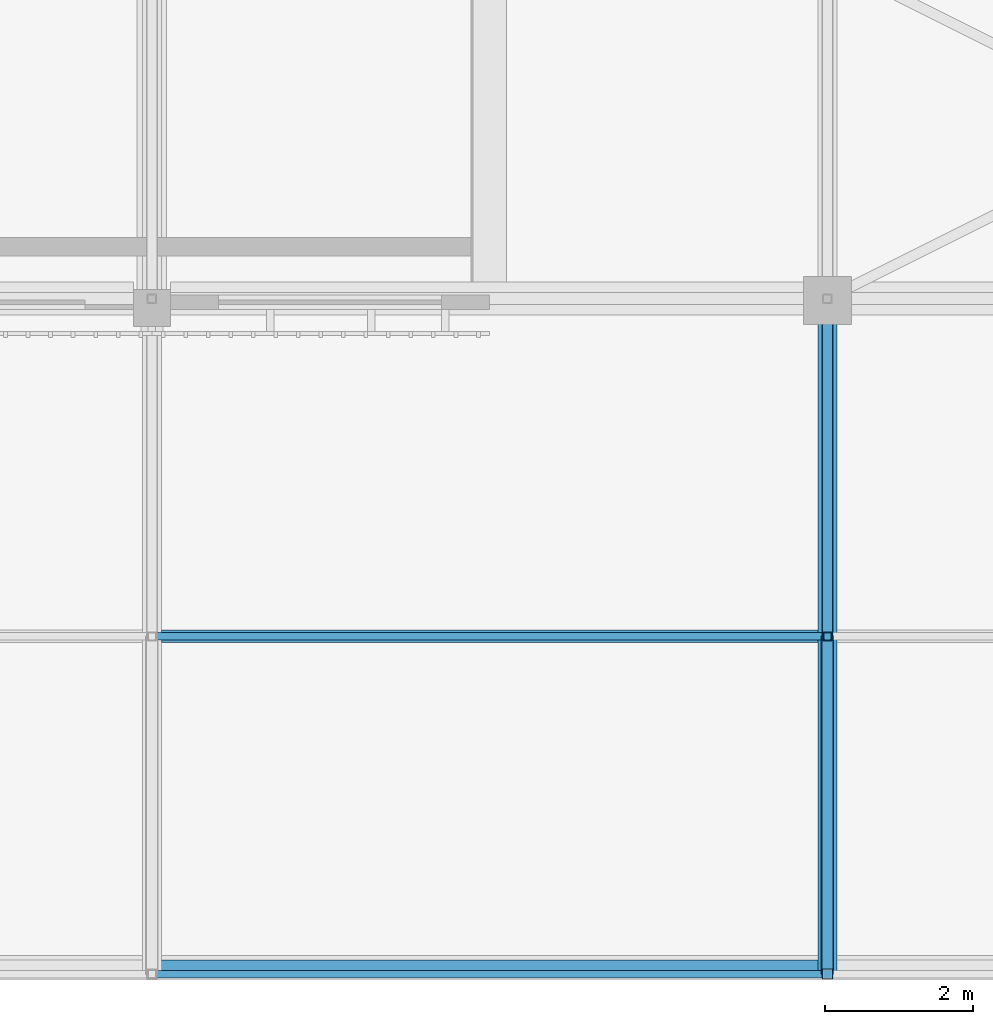
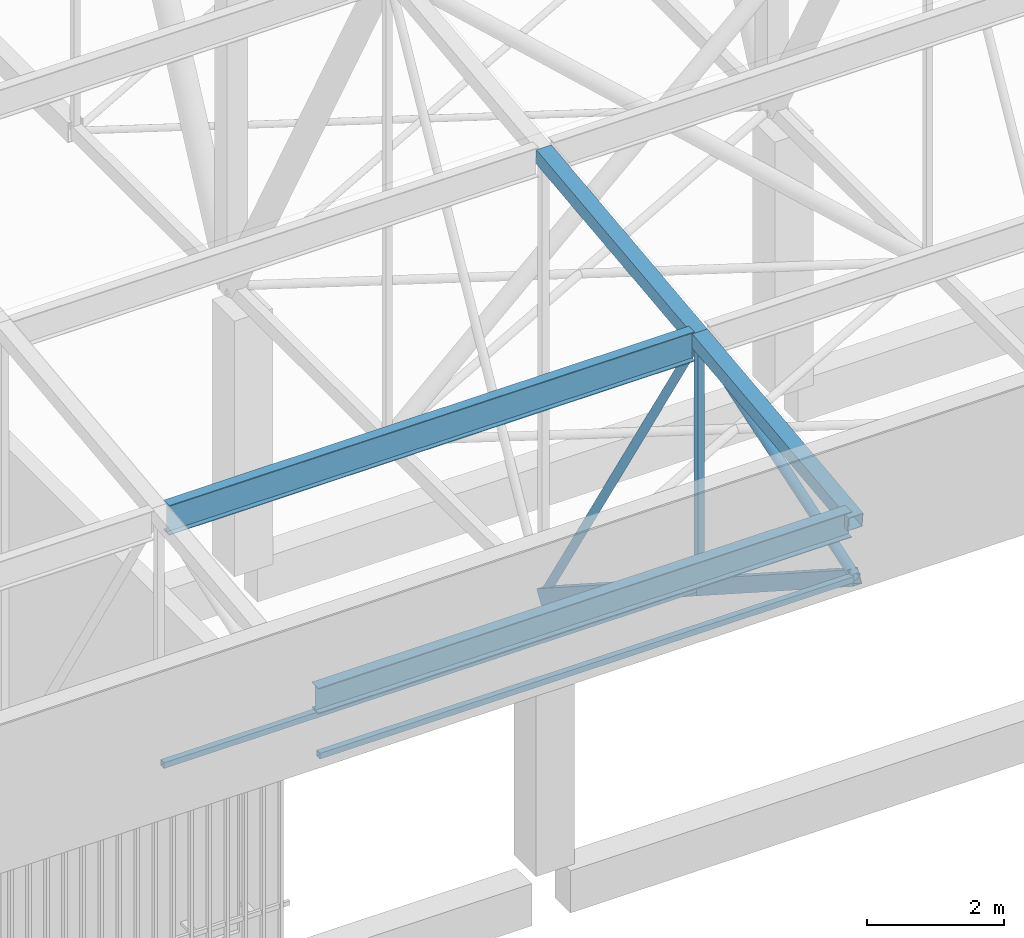
# One storey, part 32 of 500: 11 members.
"""IFC4 building model written with IfcOpenShell, lengths in metres."""

from ifc_helpers import new_model, si_unit, direction, frame, origin, origin_2d, place, context, subcontext, project, spatial, hollow_rectangle, hollow_circle, i_section, extrude, material, material_profile, profile_set, type_object, element, save


model = new_model("IFC4")

# Units and contexts
model_context = context("Model", 3, precision=1e-05, world=origin(), true_north=direction((0.0, 1.0)))
body_context = subcontext(model_context, "Body", "Model", "MODEL_VIEW")
ifc_project = project(units=[si_unit("LENGTHUNIT", "METRE"), si_unit("AREAUNIT", "SQUARE_METRE"), si_unit("VOLUMEUNIT", "CUBIC_METRE"), si_unit("PLANEANGLEUNIT", "RADIAN"), si_unit("MASSUNIT", "GRAM", prefix="KILO")], contexts=[model_context])

# Site, building, storey
site_placement = place(None, origin())
site = spatial("IfcSite", under=ifc_project, at=site_placement, CompositionType="ELEMENT")
building_placement = place(site_placement, origin())
building = spatial("IfcBuilding", under=site, at=building_placement, Name="Shirokan Park Arena", CompositionType="ELEMENT")
storey_placement = place(building_placement, frame((0.0, 0.0, 29.1201171875)))
storey = spatial("IfcBuildingStorey", under=building, at=storey_placement, Name="L06", CompositionType="ELEMENT", Elevation=29.1201171875)

# Members
ifc_material_1 = material(Name="Steel ASTM A500 Grade C", Category="steel")
ifc_material_profile_1 = material_profile(ifc_material_1, hollow_rectangle(XDim=0.152099609375, YDim=0.25390625, WallThickness=0.009521484375, at=origin_2d()), Name="HSS254X152.4X9.5")
ifc_profile_set_1 = profile_set([ifc_material_profile_1], Name="Steel ASTM A500 Grade C")
member_type_1 = type_object("IfcMemberType", Name="Bottom chord HSS254X152.4X9.5", PredefinedType="CHORD", material=ifc_profile_set_1)
for number, where, z_axis, x_axis, name in (
    (1, (45.5, -9.10009765625, 10.531982421875), (0.0, 0.840971691661, -0.541079119746), (-1.0, 0.0, 0.0), "Truss T06 bottom chord 1"),
    (2, (45.5, -4.550048828125, 7.6044921875), (0.0, 0.840971691661, -0.541079119746), (-1.0, 0.0, 0.0), "Truss T06 bottom chord 2"),
):
    element("IfcMember", number, at=place(storey_placement, frame(where, z_axis=z_axis, x_axis=x_axis)), inside=storey, type_object=member_type_1, Name=name, PredefinedType="CHORD", context=body_context, shape_type="SweptSolid", body=[
        extrude(hollow_rectangle(XDim=0.152099609375, YDim=0.25390625, WallThickness=0.009521484375, at=origin_2d()), origin(), (0.0, 0.0, 1.0), 5.410400390625),
    ])
ifc_material_profile_2 = material_profile(ifc_material_1, hollow_rectangle(XDim=0.10205078125, YDim=0.10205078125, WallThickness=0.00634765625, at=origin_2d()), Name="HSS101.6X101.6X6.4")
ifc_profile_set_2 = profile_set([ifc_material_profile_2], Name="Steel ASTM A500 Grade C")
member_type_2 = type_object("IfcMemberType", Name="Eave soffit rail HSS101.6X101.6X6.4", PredefinedType="USERDEFINED", material=ifc_profile_set_2)
for number, where, z_axis, x_axis, name in (
    (3, (36.45703125, -9.10009765625, 10.531982421875), (1.0, 0.0, 0.0), (0.0, 1.0, 0.0), "Eave soffit rail S 1 bay 5"),
    (4, (36.45703125, -4.550048828125, 7.6044921875), (1.0, 0.0, 0.0), (0.0, 1.0, 0.0), "Eave soffit rail S 2 bay 5"),
):
    element("IfcMember", number, at=place(storey_placement, frame(where, z_axis=z_axis, x_axis=x_axis)), inside=storey, type_object=member_type_2, Name=name, ObjectType="EAVE SOFFIT RAIL", PredefinedType="USERDEFINED", context=body_context, shape_type="SweptSolid", body=[
        extrude(hollow_rectangle(XDim=0.10205078125, YDim=0.10205078125, WallThickness=0.00634765625, at=origin_2d()), origin(), (0.0, 0.0, 1.0), 8.986083984375),
    ])
ifc_material_2 = material(Name="Steel ASTM A992", Category="steel")
ifc_material_profile_3 = material_profile(ifc_material_2, i_section(OverallWidth=0.166015625, OverallDepth=0.528076171875, WebThickness=0.009765625, FlangeThickness=0.013671875, at=origin_2d()), Name="W530X74")
ifc_profile_set_3 = profile_set([ifc_material_profile_3], Name="Steel ASTM A992")
member_type_3 = type_object("IfcMemberType", Name="Purlin W530X74", PredefinedType="PURLIN", material=ifc_profile_set_3)
member_1_placement = place(storey_placement, frame((36.527099609375, -4.550048828125, 11.9658203125), z_axis=(1.0, 0.0, 0.0), x_axis=(0.0, 1.0, 0.0)))
element("IfcMember", 5, at=member_1_placement, inside=storey, type_object=member_type_3, Name="Purlin 2 bay 5", PredefinedType="PURLIN", context=body_context, shape_type="SweptSolid", body=[
    extrude(i_section(OverallWidth=0.166015625, OverallDepth=0.528076171875, WebThickness=0.009765625, FlangeThickness=0.013671875, at=origin_2d()), origin(), (0.0, 0.0, 1.0), 8.845947265625),
])
ifc_material_profile_4 = material_profile(ifc_material_2, i_section(OverallWidth=0.19091796875, OverallDepth=0.45703125, WebThickness=0.009033203125, FlangeThickness=0.014404296875, at=origin_2d()), Name="W460X74")
ifc_profile_set_4 = profile_set([ifc_material_profile_4], Name="Steel ASTM A992")
member_type_4 = type_object("IfcMemberType", Name="Roof edge beam W460X74", PredefinedType="USERDEFINED", material=ifc_profile_set_4)
member_2_placement = place(storey_placement, frame((36.45703125, -9.00439453125, 11.4814453125), z_axis=(1.0, 0.0, 0.0), x_axis=(0.0, 1.0, 0.0)))
element("IfcMember", 6, at=member_2_placement, inside=storey, type_object=member_type_4, Name="Roof edge beam S 6", ObjectType="ROOF EDGE BEAM", PredefinedType="USERDEFINED", context=body_context, shape_type="SweptSolid", body=[
    extrude(i_section(OverallWidth=0.19091796875, OverallDepth=0.45703125, WebThickness=0.009033203125, FlangeThickness=0.014404296875, at=origin_2d()), origin(), (0.0, 0.0, 1.0), 8.986083984375),
])
ifc_material_profile_5 = material_profile(ifc_material_1, hollow_rectangle(XDim=0.25390625, YDim=0.25390625, WallThickness=0.009521484375, at=origin_2d()), Name="HSS254X254X9.5")
ifc_profile_set_5 = profile_set([ifc_material_profile_5], Name="Steel ASTM A500 Grade C")
member_type_5 = type_object("IfcMemberType", Name="Top chord HSS254X254X9.5", PredefinedType="CHORD", material=ifc_profile_set_5)
for number, where, z_axis, x_axis, name in (
    (7, (45.5, -9.10009765625, 11.50146484375), (0.0, 0.993532328996, 0.113549598152), (-1.0, 0.0, 0.0), "Truss T06 top chord 1"),
    (8, (45.5, -4.550048828125, 12.021484375), (0.0, 0.993532328996, 0.113549598152), (-1.0, 0.0, 0.0), "Truss T06 top chord 2"),
):
    element("IfcMember", number, at=place(storey_placement, frame(where, z_axis=z_axis, x_axis=x_axis)), inside=storey, type_object=member_type_5, Name=name, PredefinedType="CHORD", context=body_context, shape_type="SweptSolid", body=[
        extrude(hollow_rectangle(XDim=0.25390625, YDim=0.25390625, WallThickness=0.009521484375, at=origin_2d()), origin(), (0.0, 0.0, 1.0), 4.57958984375),
    ])
ifc_material_profile_6 = material_profile(ifc_material_1, hollow_circle(Radius=0.070556640625, WallThickness=0.006591796875, at=origin_2d()), Name="HSS141.3X6.6")
ifc_profile_set_6 = profile_set([ifc_material_profile_6], Name="Steel ASTM A500 Grade C")
member_type_6 = type_object("IfcMemberType", Name="Truss diagonal HSS141.3X6.6", PredefinedType="BRACE", material=ifc_profile_set_6)
member_3_placement = place(storey_placement, frame((45.5, -4.550048828125, 12.021484375), z_axis=(0.0, 0.526644483383, -0.850085635758), x_axis=(-1.0, 0.0, 0.0)))
element("IfcMember", 9, at=member_3_placement, inside=storey, type_object=member_type_6, Name="Truss T06 diagonal 2", PredefinedType="BRACE", context=body_context, shape_type="SweptSolid", body=[
    extrude(hollow_circle(Radius=0.070556640625, WallThickness=0.006591796875, at=origin_2d()), origin(), (0.0, 0.0, 1.0), 8.6396484375),
])
ifc_material_profile_7 = material_profile(ifc_material_1, hollow_circle(Radius=0.083984375, WallThickness=0.009521484375, at=origin_2d()), Name="HSS168.3X9.5")
ifc_profile_set_7 = profile_set([ifc_material_profile_7], Name="Steel ASTM A500 Grade C")
member_type_7 = type_object("IfcMemberType", Name="Truss diagonal HSS168.3X9.5", PredefinedType="BRACE", material=ifc_profile_set_7)
member_4_placement = place(storey_placement, frame((45.5, -9.10009765625, 10.531982421875), z_axis=(0.0, 0.950372733116, 0.311113593644), x_axis=(-1.0, 0.0, 0.0)))
element("IfcMember", 10, at=member_4_placement, inside=storey, type_object=member_type_7, Name="Truss T06 diagonal 1", PredefinedType="BRACE", context=body_context, shape_type="SweptSolid", body=[
    extrude(hollow_circle(Radius=0.083984375, WallThickness=0.009521484375, at=origin_2d()), origin(), (0.0, 0.0, 1.0), 4.78759765625),
])
ifc_material_profile_8 = material_profile(ifc_material_1, hollow_rectangle(XDim=0.114013671875, YDim=0.114013671875, WallThickness=0.00634765625, at=origin_2d()), Name="HSS114.3X114.3X6.4")
ifc_profile_set_8 = profile_set([ifc_material_profile_8], Name="Steel ASTM A500 Grade C")
member_type_8 = type_object("IfcMemberType", Name="Truss post HSS114.3X114.3X6.4", PredefinedType="POST", material=ifc_profile_set_8)
member_5_placement = place(storey_placement, frame((45.5, -4.550048828125, 7.6044921875), z_axis=(0.0, 0.0, 1.0), x_axis=(1.0, 0.0, 0.0)))
element("IfcMember", 11, at=member_5_placement, inside=storey, type_object=member_type_8, Name="Truss T06 post 2", PredefinedType="POST", context=body_context, shape_type="SweptSolid", body=[
    extrude(hollow_rectangle(XDim=0.114013671875, YDim=0.114013671875, WallThickness=0.00634765625, at=origin_2d()), origin(), (0.0, 0.0, 1.0), 4.4169921875),
])

save(model, "model.ifc")
